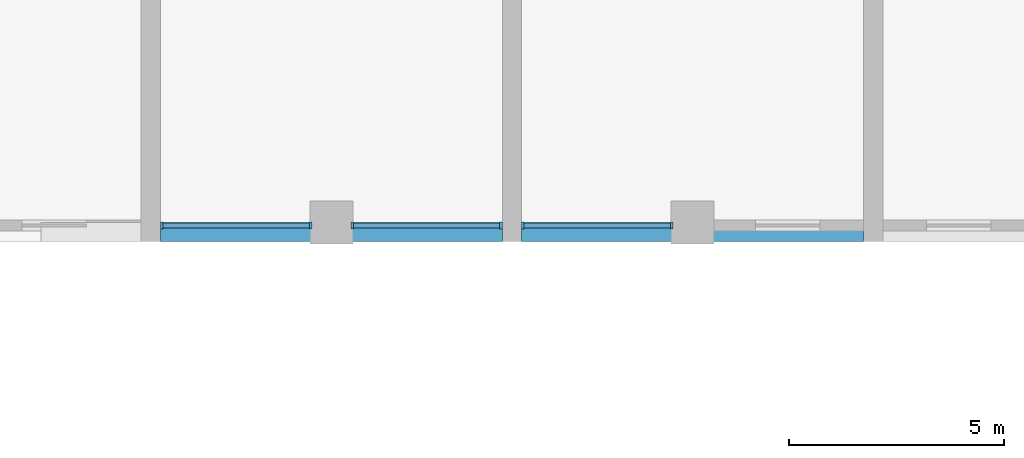
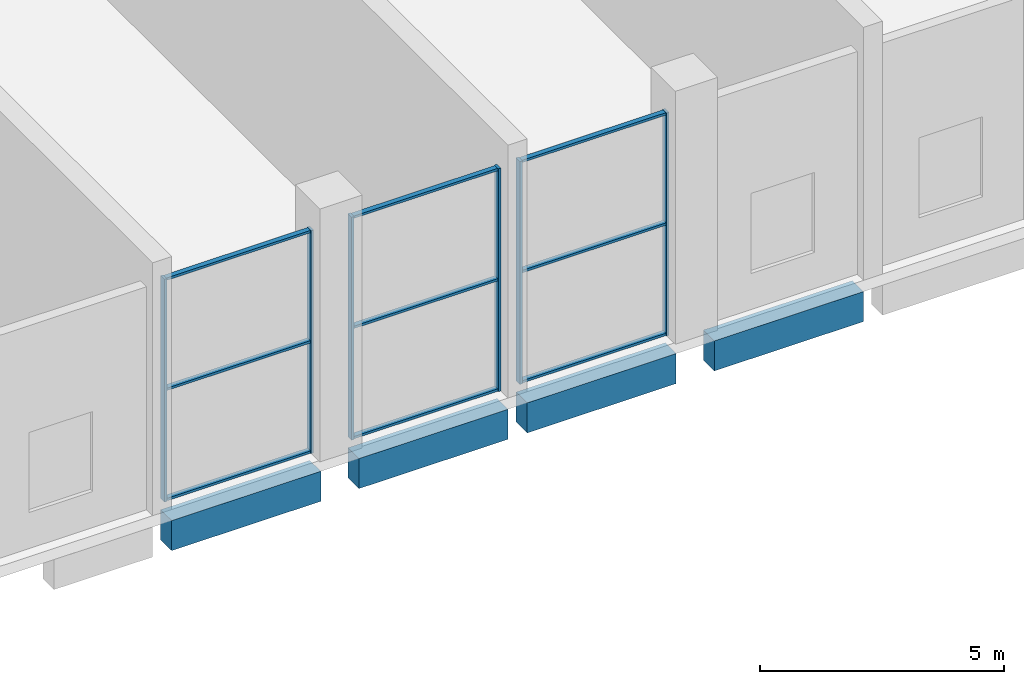
# One storey, part 2 of 15: 15 members, 4 beams, 3 elements without a shape of their own.
"""IFC4 building model written with IfcOpenShell, lengths in metres."""

from ifc_helpers import new_model, si_unit, direction, frame, origin, origin_2d, place, context, subcontext, project, spatial, rectangle, extrude, source, transform, mapped, material, layer, layer_set, material_profile, profile_set, type_object, element, aggregate, save


model = new_model("IFC4")

# Units and contexts
model_context = context("Model", 3, precision=1e-05, world=origin(), true_north=direction((0.0, 1.0)))
body_context = subcontext(model_context, "Body", "Model", "MODEL_VIEW")
ifc_project = project(units=[si_unit("LENGTHUNIT", "METRE"), si_unit("AREAUNIT", "SQUARE_METRE"), si_unit("VOLUMEUNIT", "CUBIC_METRE"), si_unit("PLANEANGLEUNIT", "RADIAN"), si_unit("MASSUNIT", "GRAM", prefix="KILO")], contexts=[model_context])

# Site, building, storey
site_placement = place(None, origin())
site = spatial("IfcSite", under=ifc_project, at=site_placement, CompositionType="ELEMENT")
building_placement = place(site_placement, origin())
building = spatial("IfcBuilding", under=site, at=building_placement, Name="Vanashikhar Sky Hotel", CompositionType="ELEMENT")
storey_placement = place(building_placement, frame((0.0, 0.0, 11.39990234375)))
storey = spatial("IfcBuildingStorey", under=building, at=storey_placement, Name="L02", CompositionType="ELEMENT", Elevation=11.39990234375)

# Beams
ifc_material_1 = material(Name="Concrete M50", Category="concrete")
ifc_material_profile_1 = material_profile(ifc_material_1, rectangle(XDim=0.449951171875, YDim=0.75, at=origin_2d()))
ifc_profile_set_1 = profile_set([ifc_material_profile_1], Name="RC 450x750 beam Concrete M50")
beam_type = type_object("IfcBeamType", Name="RC 450x750 beam Concrete M50", PredefinedType="SPANDREL", material=ifc_profile_set_1)
shared_shape_1 = source(origin(), body_context, "Body", "SweptSolid", [
    extrude(rectangle(XDim=0.449951171875, YDim=0.75, at=origin_2d()), origin(), (0.0, 0.0, 1.0), 3.52490234375),
])
for number, where, z_axis, x_axis, name in (
    (1, (8.625, 0.22509765625, -0.65478515625), (1.0, 0.0, 0.0), (0.0, 1.0, 0.0), "EB-L02-F01"),
    (2, (13.050048828125, 0.22509765625, -0.65478515625), (1.0, 0.0, 0.0), (0.0, 1.0, 0.0), "EB-L02-F02"),
):
    element("IfcBeam", number, at=place(storey_placement, frame(where, z_axis=z_axis, x_axis=x_axis)), inside=storey, type_object=beam_type, Name=name, PredefinedType="SPANDREL", context=body_context, shape_type="MappedRepresentation", body=[
        mapped(shared_shape_1, transform((0.0, 0.0, 0.0), scale=1.0)),
    ])
shared_shape_2 = source(origin(), body_context, "Body", "SweptSolid", [
    extrude(rectangle(XDim=0.449951171875, YDim=0.75, at=origin_2d()), origin(), (0.0, 0.0, 1.0), 3.525146484375),
])
for number, where, z_axis, x_axis, name in (
    (3, (17.02490234375, 0.22509765625, -0.65478515625), (1.0, 0.0, 0.0), (0.0, 1.0, 0.0), "EB-L02-F03"),
    (4, (21.449951171875, 0.22509765625, -0.65478515625), (1.0, 0.0, 0.0), (0.0, 1.0, 0.0), "EB-L02-F04"),
):
    element("IfcBeam", number, at=place(storey_placement, frame(where, z_axis=z_axis, x_axis=x_axis)), inside=storey, type_object=beam_type, Name=name, PredefinedType="SPANDREL", context=body_context, shape_type="MappedRepresentation", body=[
        mapped(shared_shape_2, transform((0.0, 0.0, 0.0), scale=1.0)),
    ])

# Curtain wall, members
ifc_material_2 = material(Name="Glass", Category="glass")
ifc_layer = layer(ifc_material_2, 0.159912109375)
ifc_layer_set = layer_set([ifc_layer], Name="Ballroom foyer curtain wall")
curtain_wall_type = type_object("IfcCurtainWallType", Name="Ballroom foyer curtain wall", PredefinedType="NOTDEFINED", material=ifc_layer_set)
curtain_wall_1_placement = place(storey_placement, origin())
curtain_wall_1 = element("IfcCurtainWall", 5, at=curtain_wall_1_placement, inside=storey, type_object=curtain_wall_type, Name="Ballroom foyer curtain wall", PredefinedType="NOTDEFINED")
ifc_material_3 = material(Name="Aluminium 6063-T6", Category="aluminium")
ifc_material_profile_2 = material_profile(ifc_material_3, rectangle(XDim=0.1201171875, YDim=0.06005859375, at=origin_2d()))
ifc_profile_set_2 = profile_set([ifc_material_profile_2], Name="Aluminium 6063-T6")
member_type_1 = type_object("IfcMemberType", Name="Podium curtain wall transom 60 x 120", PredefinedType="USERDEFINED", material=ifc_profile_set_2)
shared_shape_3 = source(origin(), body_context, "Body", "SweptSolid", [
    extrude(rectangle(XDim=0.1201171875, YDim=0.06005859375, at=origin_2d()), origin(), (0.0, 0.0, 1.0), 3.405029296875),
])
member_1_placement = place(storey_placement, frame((8.68505859375, 0.375, 0.030029296875), z_axis=(1.0, 0.0, 0.0), x_axis=(0.0, 1.0, 0.0)))
member_1 = element("IfcMember", 6, at=member_1_placement, type_object=member_type_1, Name="CW-3.203 transom 1.1", ObjectType="TRANSOM", PredefinedType="USERDEFINED", context=body_context, shape_type="MappedRepresentation", body=[
    mapped(shared_shape_3, transform((0.0, 0.0, 0.0), scale=1.0)),
])
member_2_placement = place(storey_placement, frame((8.68505859375, 0.375, 2.78515625), z_axis=(1.0, 0.0, 0.0), x_axis=(0.0, 1.0, 0.0)))
member_2 = element("IfcMember", 7, at=member_2_placement, type_object=member_type_1, Name="CW-3.203 transom 1.2", ObjectType="TRANSOM", PredefinedType="USERDEFINED", context=body_context, shape_type="MappedRepresentation", body=[
    mapped(shared_shape_3, transform((0.0, 0.0, 0.0), scale=1.0)),
])
member_3_placement = place(storey_placement, frame((8.68505859375, 0.375, 5.5400390625), z_axis=(1.0, 0.0, 0.0), x_axis=(0.0, 1.0, 0.0)))
member_3 = element("IfcMember", 8, at=member_3_placement, type_object=member_type_1, Name="CW-3.203 transom 1.3", ObjectType="TRANSOM", PredefinedType="USERDEFINED", context=body_context, shape_type="MappedRepresentation", body=[
    mapped(shared_shape_3, transform((0.0, 0.0, 0.0), scale=1.0)),
])

curtain_wall_2_placement = place(storey_placement, origin())
curtain_wall_2 = element("IfcCurtainWall", 9, at=curtain_wall_2_placement, inside=storey, type_object=curtain_wall_type, Name="Ballroom foyer curtain wall", PredefinedType="NOTDEFINED")
member_4_placement = place(storey_placement, frame((17.0849609375, 0.375, 0.030029296875), z_axis=(1.0, 0.0, 0.0), x_axis=(0.0, 1.0, 0.0)))
member_4 = element("IfcMember", 10, at=member_4_placement, type_object=member_type_1, Name="CW-3.205 transom 1.1", ObjectType="TRANSOM", PredefinedType="USERDEFINED", context=body_context, shape_type="MappedRepresentation", body=[
    mapped(shared_shape_3, transform((0.0, 0.0, 0.0), scale=1.0)),
])
member_5_placement = place(storey_placement, frame((17.0849609375, 0.375, 2.78515625), z_axis=(1.0, 0.0, 0.0), x_axis=(0.0, 1.0, 0.0)))
member_5 = element("IfcMember", 11, at=member_5_placement, type_object=member_type_1, Name="CW-3.205 transom 1.2", ObjectType="TRANSOM", PredefinedType="USERDEFINED", context=body_context, shape_type="MappedRepresentation", body=[
    mapped(shared_shape_3, transform((0.0, 0.0, 0.0), scale=1.0)),
])
member_6_placement = place(storey_placement, frame((17.0849609375, 0.375, 5.5400390625), z_axis=(1.0, 0.0, 0.0), x_axis=(0.0, 1.0, 0.0)))
member_6 = element("IfcMember", 12, at=member_6_placement, type_object=member_type_1, Name="CW-3.205 transom 1.3", ObjectType="TRANSOM", PredefinedType="USERDEFINED", context=body_context, shape_type="MappedRepresentation", body=[
    mapped(shared_shape_3, transform((0.0, 0.0, 0.0), scale=1.0)),
])

curtain_wall_3_placement = place(storey_placement, origin())
curtain_wall_3 = element("IfcCurtainWall", 13, at=curtain_wall_3_placement, inside=storey, type_object=curtain_wall_type, Name="Ballroom foyer curtain wall", PredefinedType="NOTDEFINED")
shared_shape_4 = source(origin(), body_context, "Body", "SweptSolid", [
    extrude(rectangle(XDim=0.1201171875, YDim=0.06005859375, at=origin_2d()), origin(), (0.0, 0.0, 1.0), 3.40478515625),
])
member_7_placement = place(storey_placement, frame((13.110107421875, 0.375, 0.030029296875), z_axis=(1.0, 0.0, 0.0), x_axis=(0.0, 1.0, 0.0)))
member_7 = element("IfcMember", 14, at=member_7_placement, type_object=member_type_1, Name="CW-3.204 transom 1.1", ObjectType="TRANSOM", PredefinedType="USERDEFINED", context=body_context, shape_type="MappedRepresentation", body=[
    mapped(shared_shape_4, transform((0.0, 0.0, 0.0), scale=1.0)),
])
member_8_placement = place(storey_placement, frame((13.110107421875, 0.375, 2.78515625), z_axis=(1.0, 0.0, 0.0), x_axis=(0.0, 1.0, 0.0)))
member_8 = element("IfcMember", 15, at=member_8_placement, type_object=member_type_1, Name="CW-3.204 transom 1.2", ObjectType="TRANSOM", PredefinedType="USERDEFINED", context=body_context, shape_type="MappedRepresentation", body=[
    mapped(shared_shape_4, transform((0.0, 0.0, 0.0), scale=1.0)),
])
member_9_placement = place(storey_placement, frame((13.110107421875, 0.375, 5.5400390625), z_axis=(1.0, 0.0, 0.0), x_axis=(0.0, 1.0, 0.0)))
member_9 = element("IfcMember", 16, at=member_9_placement, type_object=member_type_1, Name="CW-3.204 transom 1.3", ObjectType="TRANSOM", PredefinedType="USERDEFINED", context=body_context, shape_type="MappedRepresentation", body=[
    mapped(shared_shape_4, transform((0.0, 0.0, 0.0), scale=1.0)),
])

# Member
ifc_material_profile_3 = material_profile(ifc_material_3, rectangle(XDim=0.159912109375, YDim=0.06005859375, at=origin_2d()))
ifc_profile_set_3 = profile_set([ifc_material_profile_3], Name="Aluminium 6063-T6")
member_type_2 = type_object("IfcMemberType", Name="Podium curtain wall mullion 60 x 160", PredefinedType="MULLION", material=ifc_profile_set_3)
shared_shape_5 = source(origin(), body_context, "Body", "SweptSolid", [
    extrude(rectangle(XDim=0.159912109375, YDim=0.06005859375, at=origin_2d()), origin(), (0.0, 0.0, 1.0), 5.570068359375),
])
member_10_placement = place(storey_placement, frame((8.655029296875, 0.375, 0.0), z_axis=(0.0, 0.0, 1.0), x_axis=(0.0, 1.0, 0.0)))
member_10 = element("IfcMember", 17, at=member_10_placement, type_object=member_type_2, Name="CW-3.203 mullion 1", PredefinedType="MULLION", context=body_context, shape_type="MappedRepresentation", body=[
    mapped(shared_shape_5, transform((0.0, 0.0, 0.0), scale=1.0)),
])

member_11_placement = place(storey_placement, frame((12.1201171875, 0.375, 0.0), z_axis=(0.0, 0.0, 1.0), x_axis=(0.0, 1.0, 0.0)))
member_11 = element("IfcMember", 18, at=member_11_placement, type_object=member_type_2, Name="CW-3.203 mullion 2", PredefinedType="MULLION", context=body_context, shape_type="MappedRepresentation", body=[
    mapped(shared_shape_5, transform((0.0, 0.0, 0.0), scale=1.0)),
])

aggregate(curtain_wall_1, [member_10, member_11, member_1, member_2, member_3])

member_12_placement = place(storey_placement, frame((13.080078125, 0.375, 0.0), z_axis=(0.0, 0.0, 1.0), x_axis=(0.0, 1.0, 0.0)))
member_12 = element("IfcMember", 19, at=member_12_placement, type_object=member_type_2, Name="CW-3.204 mullion 1", PredefinedType="MULLION", context=body_context, shape_type="MappedRepresentation", body=[
    mapped(shared_shape_5, transform((0.0, 0.0, 0.0), scale=1.0)),
])

member_13_placement = place(storey_placement, frame((16.544921875, 0.375, 0.0), z_axis=(0.0, 0.0, 1.0), x_axis=(0.0, 1.0, 0.0)))
member_13 = element("IfcMember", 20, at=member_13_placement, type_object=member_type_2, Name="CW-3.204 mullion 2", PredefinedType="MULLION", context=body_context, shape_type="MappedRepresentation", body=[
    mapped(shared_shape_5, transform((0.0, 0.0, 0.0), scale=1.0)),
])

aggregate(curtain_wall_3, [member_12, member_13, member_7, member_8, member_9])

member_14_placement = place(storey_placement, frame((17.054931640625, 0.375, 0.0), z_axis=(0.0, 0.0, 1.0), x_axis=(0.0, 1.0, 0.0)))
member_14 = element("IfcMember", 21, at=member_14_placement, type_object=member_type_2, Name="CW-3.205 mullion 1", PredefinedType="MULLION", context=body_context, shape_type="MappedRepresentation", body=[
    mapped(shared_shape_5, transform((0.0, 0.0, 0.0), scale=1.0)),
])

member_15_placement = place(storey_placement, frame((20.52001953125, 0.375, 0.0), z_axis=(0.0, 0.0, 1.0), x_axis=(0.0, 1.0, 0.0)))
member_15 = element("IfcMember", 22, at=member_15_placement, type_object=member_type_2, Name="CW-3.205 mullion 2", PredefinedType="MULLION", context=body_context, shape_type="MappedRepresentation", body=[
    mapped(shared_shape_5, transform((0.0, 0.0, 0.0), scale=1.0)),
])

aggregate(curtain_wall_2, [member_14, member_15, member_4, member_5, member_6])

save(model, "model.ifc")
